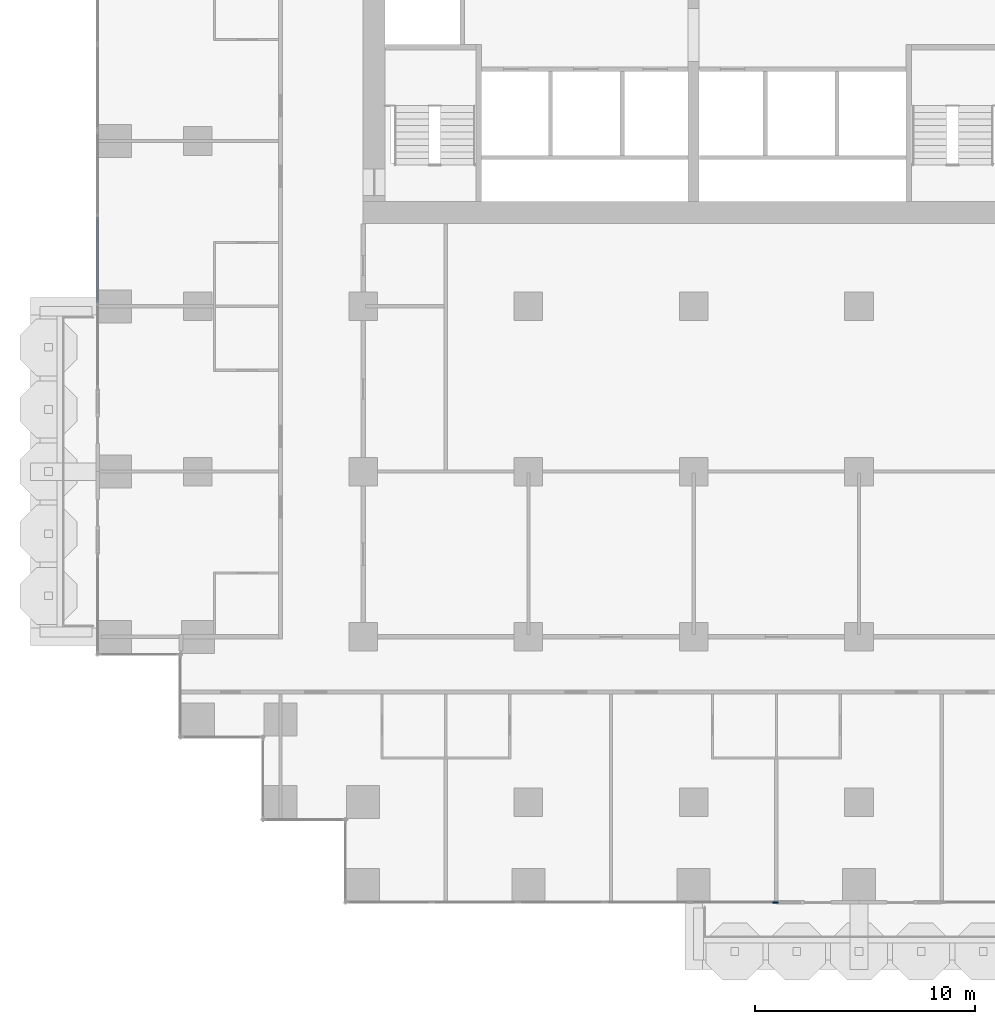
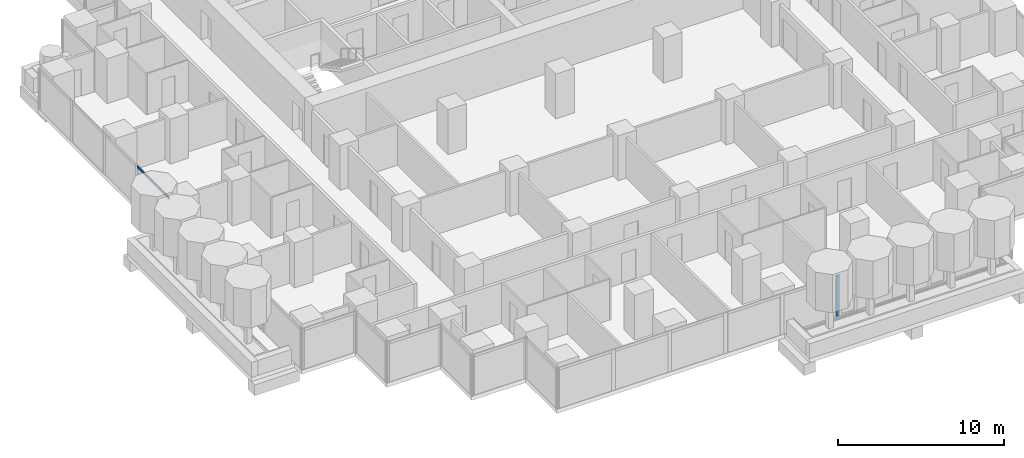
# One storey, part 3 of 19: 2 members, 2 elements without a shape of their own.
"""IFC4 building model written with IfcOpenShell, lengths in metres."""

from ifc_helpers import new_model, si_unit, direction, frame, origin, origin_2d, place, context, subcontext, project, spatial, rectangle, extrude, material, material_profile, profile_set, type_object, element, aggregate, save


model = new_model("IFC4")

# Units and contexts
model_context = context("Model", 3, precision=1e-05, world=origin(), true_north=direction((0.0, 1.0)))
body_context = subcontext(model_context, "Body", "Model", "MODEL_VIEW")
ifc_project = project(units=[si_unit("LENGTHUNIT", "METRE"), si_unit("AREAUNIT", "SQUARE_METRE"), si_unit("VOLUMEUNIT", "CUBIC_METRE"), si_unit("PLANEANGLEUNIT", "RADIAN"), si_unit("MASSUNIT", "GRAM", prefix="KILO")], contexts=[model_context])

# Site, building, storey
site_placement = place(None, origin())
site = spatial("IfcSite", under=ifc_project, at=site_placement, CompositionType="ELEMENT")
building_placement = place(site_placement, origin())
building = spatial("IfcBuilding", under=site, at=building_placement, Name="Pilkhan Gate Tower", CompositionType="ELEMENT")
storey_placement = place(building_placement, frame((0.0, 0.0, 79.10009765625)))
storey = spatial("IfcBuildingStorey", under=building, at=storey_placement, Name="L18", CompositionType="ELEMENT", Elevation=79.10009765625)

# Curtain wall, member
ifc_material_1 = material(Name="Pale anodised aluminium, clear low-iron double glazing", Category="aluminium")
curtain_wall_type = type_object("IfcCurtainWallType", Name="Hotel unitised curtain wall CW-H", PredefinedType="USERDEFINED", material=ifc_material_1)
curtain_wall_1_placement = place(storey_placement, origin())
curtain_wall_1 = element("IfcCurtainWall", 1, at=curtain_wall_1_placement, inside=storey, type_object=curtain_wall_type, Name="Hotel unitised curtain wall CW-H L18 S", ObjectType="UNITISED CURTAIN WALL", PredefinedType="USERDEFINED")
ifc_material_2 = material(Name="Pale anodised aluminium", Category="aluminium")
ifc_material_profile_1 = material_profile(ifc_material_2, rectangle(XDim=0.06494140625, YDim=0.25, at=origin_2d()), Name="Mullion 250x65")
ifc_profile_set_1 = profile_set([ifc_material_profile_1], Name="Pale anodised aluminium")
member_type_1 = type_object("IfcMemberType", Name="Mullion CW-H 250x65", PredefinedType="MULLION", material=ifc_profile_set_1)
member_1_placement = place(storey_placement, frame((78.717529296875, 40.455078125, 0.0), z_axis=(0.0, 0.0, 1.0), x_axis=(0.0, 1.0, 0.0)))
member_1 = element("IfcMember", 2, at=member_1_placement, type_object=member_type_1, Name="CW-H mullion 3", PredefinedType="MULLION", context=body_context, shape_type="SweptSolid", body=[
    extrude(rectangle(XDim=0.06494140625, YDim=0.25, at=origin_2d()), origin(), (0.0, 0.0, 1.0), 3.0),
])
aggregate(curtain_wall_1, [member_1])

curtain_wall_2_placement = place(storey_placement, origin())
curtain_wall_2 = element("IfcCurtainWall", 3, at=curtain_wall_2_placement, inside=storey, type_object=curtain_wall_type, Name="Hotel unitised curtain wall CW-H L18 W", ObjectType="UNITISED CURTAIN WALL", PredefinedType="USERDEFINED")
ifc_material_profile_2 = material_profile(ifc_material_2, rectangle(XDim=0.06494140625, YDim=0.179931640625, at=origin_2d()), Name="Transom 180x65")
ifc_profile_set_2 = profile_set([ifc_material_profile_2], Name="Pale anodised aluminium")
member_type_2 = type_object("IfcMemberType", Name="Transom CW-H 180x65", PredefinedType="USERDEFINED", material=ifc_profile_set_2)
member_2_placement = place(storey_placement, frame((47.955078125, 67.69140625, 2.909912109375), z_axis=(0.0, 1.0, 0.0), x_axis=(-1.0, 0.0, 0.0)))
member_2 = element("IfcMember", 4, at=member_2_placement, type_object=member_type_2, Name="CW-H transom 2", ObjectType="TRANSOM", PredefinedType="USERDEFINED", context=body_context, shape_type="SweptSolid", body=[
    extrude(rectangle(XDim=0.06494140625, YDim=0.179931640625, at=origin_2d()), origin(), (0.0, 0.0, 1.0), 3.843994140625),
])
aggregate(curtain_wall_2, [member_2])

save(model, "model.ifc")
